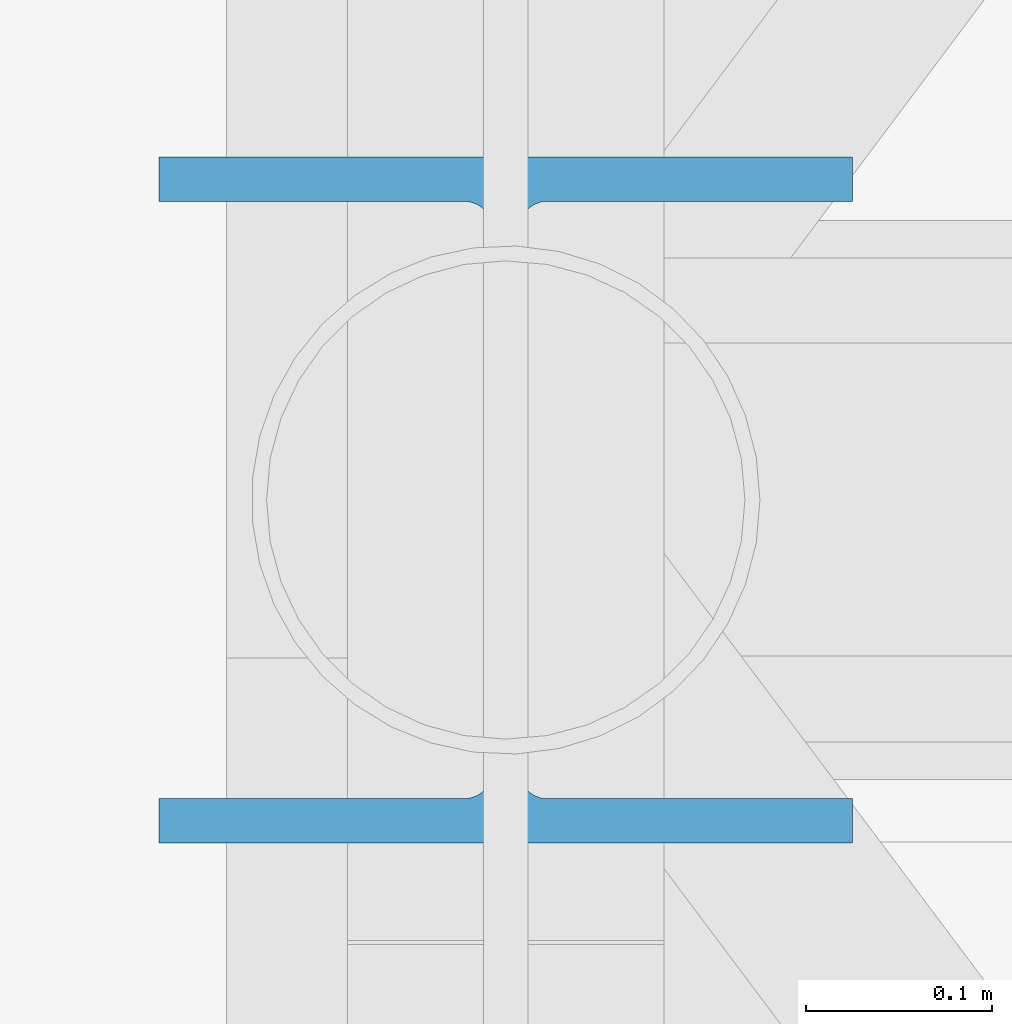
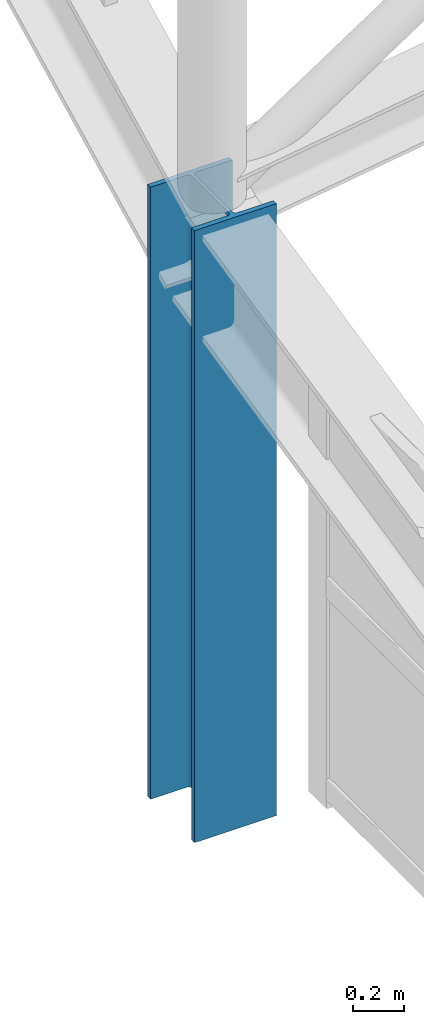
# One storey, part 5 of 262: 1 column.
"""IFC4 building model written with IfcOpenShell, lengths in metres."""

import ifcopenshell
import ifcopenshell.guid

model = None  # the IFC model being written
_history = None  # IfcOwnerHistory: only IFC2X3 demands one
_inside = {}  # id of a spatial element -> (the spatial element, [elements in it])
_under = {}  # id of a project, library or spatial element -> (it, [spatial elements below it])
_declared = {}  # id of a project -> (the project, [libraries it declares])
_typed = {}  # id of a type object -> (the type object, [elements of that type])
_made_of = {}  # id of a material, layer set ... -> (it, [elements and type objects made of it])


def new_model(schema):
    """Start an empty IFC model of exactly this schema.

    Asked for "IFC4X3", IfcOpenShell would pick the latest addendum, in which some entities
    have other attributes; the version numbers below select the first issue.
    IFC2X3 requires an IfcOwnerHistory on every rooted entity: one is made here for all.
    """
    global model, _history
    if schema == "IFC4X3":
        model = ifcopenshell.file(schema_version=(4, 3, 0, 0))
    else:
        model = ifcopenshell.file(schema=schema)
    _inside.clear()
    _under.clear()
    _declared.clear()
    _typed.clear()
    _made_of.clear()
    _history = None
    if model.schema == "IFC2X3":
        org = make("IfcOrganization", Name="unknown")
        user = make(
            "IfcPersonAndOrganization",
            ThePerson=make("IfcPerson", FamilyName="unknown"),
            TheOrganization=org,
        )
        app = make(
            "IfcApplication",
            ApplicationDeveloper=org,
            Version="unknown",
            ApplicationFullName="unknown",
            ApplicationIdentifier="unknown",
        )
        _history = make(
            "IfcOwnerHistory",
            OwningUser=user,
            OwningApplication=app,
            ChangeAction="ADDED",
            CreationDate=0,
        )
    return model


def make(cls, **values):
    """One entity of the class cls with the attributes given. An attribute that is None is left unset."""
    return model.create_entity(
        cls, **{name: value for name, value in values.items() if value is not None}
    )


def rooted(cls, **values):
    """An entity with a GlobalId (a new one), such as an element, a storey or a relation."""
    return make(cls, GlobalId=ifcopenshell.guid.new(), OwnerHistory=_history, **values)


def si_unit(unit_type, name, prefix=None):
    """IfcSIUnit, for example si_unit("LENGTHUNIT", "METRE", prefix="MILLI")."""
    return make("IfcSIUnit", UnitType=unit_type, Prefix=prefix, Name=name)


def derived_unit(unit_type, elements):
    """IfcDerivedUnit: a product of units, each with its exponent."""
    return make(
        "IfcDerivedUnit",
        Elements=[
            make("IfcDerivedUnitElement", Unit=unit, Exponent=power)
            for unit, power in elements
        ],
        UnitType=unit_type,
    )


def assignment(units):
    """IfcUnitAssignment: the units of a project."""
    return None if units is None else make("IfcUnitAssignment", Units=units)


def point(xyz):
    """IfcCartesianPoint."""
    return None if xyz is None else make("IfcCartesianPoint", Coordinates=xyz)


def direction(xyz):
    """IfcDirection."""
    return None if xyz is None else make("IfcDirection", DirectionRatios=xyz)


def frame(location, z_axis=None, x_axis=None):
    """IfcAxis2Placement3D, a coordinate frame: its origin and axes. An axis left out is left unset."""
    return make(
        "IfcAxis2Placement3D",
        Location=point(location),
        Axis=direction(z_axis),
        RefDirection=direction(x_axis),
    )


def frame_2d(location, x_axis=None):
    """IfcAxis2Placement2D, a coordinate frame in the plane: its origin and x axis."""
    return make(
        "IfcAxis2Placement2D", Location=point(location), RefDirection=direction(x_axis)
    )


def origin():
    """The frame at (0, 0, 0) with its axes left unset."""
    return frame((0.0, 0.0, 0.0))


def origin_2d():
    """The frame at (0, 0) in the plane with its x axis left unset."""
    return frame_2d((0.0, 0.0))


def place(relative_to, where):
    """IfcLocalPlacement: puts the frame where relative to a parent placement (None: the world)."""
    return make(
        "IfcLocalPlacement", PlacementRelTo=relative_to, RelativePlacement=where
    )


def context(
    kind, dimensions, precision=None, world=None, true_north=None, identifier=None
):
    """IfcGeometricRepresentationContext, for example the 3D "Model" context."""
    return make(
        "IfcGeometricRepresentationContext",
        ContextIdentifier=identifier,
        ContextType=kind,
        CoordinateSpaceDimension=dimensions,
        Precision=precision,
        WorldCoordinateSystem=world,
        TrueNorth=true_north,
    )


def subcontext(parent, identifier, kind, view, scale=None):
    """IfcGeometricRepresentationSubContext, for example "Body" below "Model"."""
    return make(
        "IfcGeometricRepresentationSubContext",
        ContextIdentifier=identifier,
        ContextType=kind,
        ParentContext=parent,
        TargetScale=scale,
        TargetView=view,
    )


def project(units=None, contexts=None):
    """IfcProject with its units and contexts."""
    return rooted(
        "IfcProject",
        Name="project",
        RepresentationContexts=contexts,
        UnitsInContext=assignment(units),
    )


def spatial(cls, under=None, at=None, **own):
    """A site, building, storey or space (cls), placed at a placement, below another one or the project."""
    s = rooted(cls, ObjectPlacement=at, **own)
    if under is not None:
        _under.setdefault(under.id(), (under, []))[1].append(s)
    return s


def profile(cls, at=None, kind="AREA", **sizes):
    """A parametric profile (cls). Its sizes go by their IFC names, for example OverallWidth=200.0."""
    return make(cls, ProfileType=kind, Position=at, **sizes)


def i_section(**sizes):
    """IfcIShapeProfileDef."""
    return profile("IfcIShapeProfileDef", **sizes)


def extrude(swept, where, along, depth):
    """IfcExtrudedAreaSolid: the profile swept, set in the frame where, extruded along a direction by depth."""
    return make(
        "IfcExtrudedAreaSolid",
        SweptArea=swept,
        Position=where,
        ExtrudedDirection=direction(along),
        Depth=depth,
    )


def shape(context_of_items, identifier, shape_type, items):
    """IfcShapeRepresentation: the items that make up one representation, for example the "Body"."""
    return make(
        "IfcShapeRepresentation",
        ContextOfItems=context_of_items,
        RepresentationIdentifier=identifier,
        RepresentationType=shape_type,
        Items=items,
    )


def material(Name=None, Category=None):
    """IfcMaterial."""
    return make("IfcMaterial", Name=Name, Category=Category)


def material_profile(
    of_material, cross_section, Name=None, Category=None, Priority=None
):
    """IfcMaterialProfile: a cross section and its material."""
    return make(
        "IfcMaterialProfile",
        Name=Name,
        Material=of_material,
        Profile=cross_section,
        Priority=Priority,
        Category=Category,
    )


def profile_set(profiles, Name=None, composite=None):
    """IfcMaterialProfileSet."""
    return make(
        "IfcMaterialProfileSet",
        Name=Name,
        MaterialProfiles=profiles,
        CompositeProfile=composite,
    )


def made_of(thing, what):
    """Note that an element or type object is made of a material, layer set ...; save() writes the relation."""
    if what is not None:
        _made_of.setdefault(what.id(), (what, []))[1].append(thing)
    return thing


def type_object(cls, material=None, **own):
    """A type object (cls), such as IfcWallType, which elements share."""
    return made_of(rooted(cls, **own), material)


def element(
    cls,
    number,
    at=None,
    inside=None,
    cuts=None,
    type_object=None,
    material=None,
    context=None,
    identifier="Body",
    shape_type=None,
    held_by="IfcProductDefinitionShape",
    body=None,
    shapes=None,
    **own,
):
    """One element of the class cls, such as IfcWall. Its Tag is "e" and its number.

    at: its placement. inside: the storey or other place that contains it. cuts: it is an
    opening in that element (IfcRelVoidsElement). A single representation is given by context,
    identifier, shape_type and body (its items); several are given by shapes. held_by: the class
    of the entity that holds the representations. save() writes the other relations.
    """
    e = rooted(cls, Tag="e%d" % number, ObjectPlacement=at, **own)
    if body is not None:
        shapes = [shape(context, identifier, shape_type, body)]
    if shapes is not None:
        e.Representation = make(held_by, Representations=shapes)
    if inside is not None:
        _inside.setdefault(inside.id(), (inside, []))[1].append(e)
    if cuts is not None:
        rooted(
            "IfcRelVoidsElement", RelatingBuildingElement=cuts, RelatedOpeningElement=e
        )
    if type_object is not None:
        _typed.setdefault(type_object.id(), (type_object, []))[1].append(e)
    return made_of(e, material)


def aggregate(whole, parts):
    """IfcRelAggregates: a whole, such as a stair, and the parts it consists of."""
    return rooted("IfcRelAggregates", RelatingObject=whole, RelatedObjects=parts)


def save(model, path):
    """Write the relations noted so far, then the file.

    IfcRelAggregates (storeys below a building ...), IfcRelContainedInSpatialStructure (elements
    in a storey), IfcRelDefinesByType, IfcRelAssociatesMaterial and IfcRelDeclares: one each for
    every whole, place, type object, material and project.
    """
    for whole, parts in _under.values():
        aggregate(whole, parts)
    for where, things in _inside.values():
        rooted(
            "IfcRelContainedInSpatialStructure",
            RelatedElements=things,
            RelatingStructure=where,
        )
    for kind, things in _typed.values():
        rooted("IfcRelDefinesByType", RelatedObjects=things, RelatingType=kind)
    for what, things in _made_of.values():
        rooted("IfcRelAssociatesMaterial", RelatedObjects=things, RelatingMaterial=what)
    for by, libraries in _declared.values():
        rooted("IfcRelDeclares", RelatingContext=by, RelatedDefinitions=libraries)
    model.write(path)


model = new_model("IFC4")

# Units and contexts
model_context = context("Model", 3, precision=1e-05, world=origin(), true_north=direction((0.0, 1.0)))
body_context = subcontext(model_context, "Body", "Model", "MODEL_VIEW")
ifc_project = project(units=[si_unit("LENGTHUNIT", "METRE"), si_unit("AREAUNIT", "SQUARE_METRE"), si_unit("VOLUMEUNIT", "CUBIC_METRE"), si_unit("PLANEANGLEUNIT", "RADIAN"), si_unit("MASSUNIT", "GRAM", prefix="KILO"), derived_unit("THERMALTRANSMITTANCEUNIT", [(si_unit("POWERUNIT", "WATT"), 1), (si_unit("LENGTHUNIT", "METRE"), -2), (si_unit("THERMODYNAMICTEMPERATUREUNIT", "KELVIN"), -1)])], contexts=[model_context])

# Site, building, storey
site_placement = place(None, origin())
site = spatial("IfcSite", under=ifc_project, at=site_placement, CompositionType="ELEMENT")
building_placement = place(site_placement, origin())
building = spatial("IfcBuilding", under=site, at=building_placement, Name="Almenara Railside Exhibition Hall", CompositionType="ELEMENT")
storey_placement = place(building_placement, frame((0.0, 0.0, 21.699951171875)))
storey = spatial("IfcBuildingStorey", under=building, at=storey_placement, Name="RF", CompositionType="ELEMENT", Elevation=21.699951171875)

# Column
ifc_material = material(Name="Structural steel S355JR", Category="steel")
ifc_material_profile = material_profile(ifc_material, i_section(OverallWidth=0.37255859375, OverallDepth=0.3681640625, WebThickness=0.014404296875, FlangeThickness=0.023681640625, FilletRadius=0.01513671875, at=origin_2d()), Name="UC 356x368x177")
ifc_profile_set = profile_set([ifc_material_profile], Name="Structural steel S355JR")
column_type = type_object("IfcColumnType", Name="Steel Column UC 356x368x177 S355JR", PredefinedType="COLUMN", material=ifc_profile_set)
column_placement = place(storey_placement, frame((12.0, 120.0, -2.39990234375), z_axis=(0.0, 0.0, 1.0), x_axis=(1.0, 0.0, 0.0)))
element("IfcColumn", 1, at=column_placement, inside=storey, type_object=column_type, Name="V1 scroll portal column 7", PredefinedType="COLUMN", context=body_context, shape_type="SweptSolid", body=[
    extrude(i_section(OverallWidth=0.37255859375, OverallDepth=0.3681640625, WebThickness=0.014404296875, FlangeThickness=0.023681640625, FilletRadius=0.01513671875, at=origin_2d()), origin(), (0.0, 0.0, 1.0), 2.941162109375),
])

save(model, "model.ifc")
